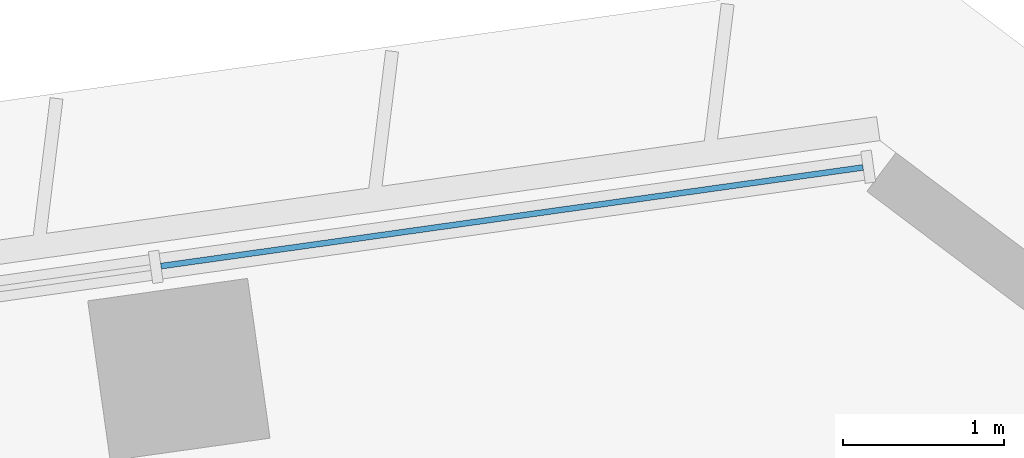
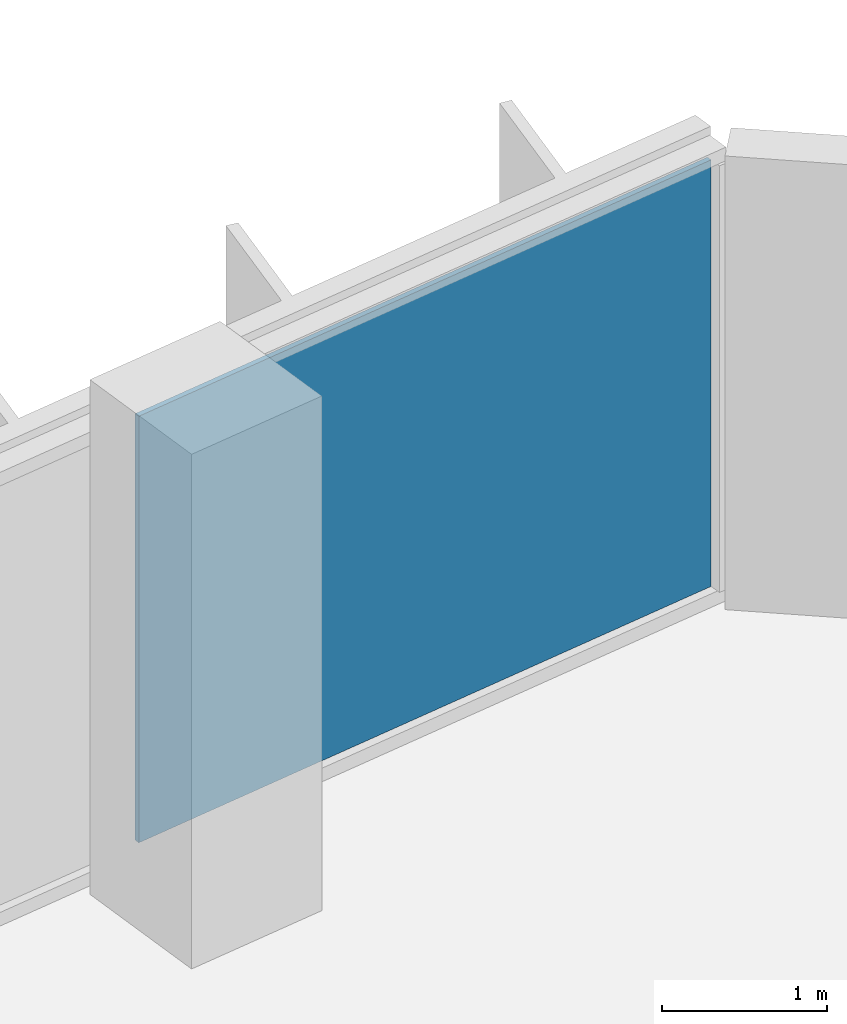
# One storey, part 13 of 24: 1 plate, 1 element without a shape of its own.
"""IFC4 building model written with IfcOpenShell, lengths in metres."""

from ifc_helpers import new_model, si_unit, direction, frame, origin, origin_2d, place, context, subcontext, project, spatial, rectangle, extrude, material, layer, layer_set, type_object, element, aggregate, save


model = new_model("IFC4")

# Units and contexts
model_context = context("Model", 3, precision=1e-05, world=origin(), true_north=direction((0.0, 1.0)))
body_context = subcontext(model_context, "Body", "Model", "MODEL_VIEW")
ifc_project = project(units=[si_unit("LENGTHUNIT", "METRE"), si_unit("AREAUNIT", "SQUARE_METRE"), si_unit("VOLUMEUNIT", "CUBIC_METRE"), si_unit("PLANEANGLEUNIT", "RADIAN"), si_unit("MASSUNIT", "GRAM", prefix="KILO")], contexts=[model_context])

# Site, building, storey
site_placement = place(None, origin())
site = spatial("IfcSite", under=ifc_project, at=site_placement, CompositionType="ELEMENT")
building_placement = place(site_placement, origin())
building = spatial("IfcBuilding", under=site, at=building_placement, Name="Mirante Cascada Hotel Towers", CompositionType="ELEMENT")
storey_placement = place(building_placement, frame((0.0, 0.0, 81.3)))
storey = spatial("IfcBuildingStorey", under=building, at=storey_placement, Name="L17", CompositionType="ELEMENT", Elevation=81.3)

# Curtain wall, plate
ifc_material_1 = material(Name="Aluminium mullion and transom frame with clear laminated glass", Category="aluminium")
curtain_wall_type = type_object("IfcCurtainWallType", Name="Ribbon curtain wall ECW1", PredefinedType="NOTDEFINED", material=ifc_material_1)
curtain_wall_placement = place(storey_placement, origin())
curtain_wall = element("IfcCurtainWall", 1, at=curtain_wall_placement, inside=storey, type_object=curtain_wall_type, Name="Front ribbon wall T2 L17", PredefinedType="NOTDEFINED")
ifc_material_2 = material(Name="Clear laminated glass", Category="glass")
ifc_layer = layer(ifc_material_2, 0.036)
ifc_layer_set = layer_set([ifc_layer], Name="ECW1 glass panel 36")
plate_type = type_object("IfcPlateType", Name="ECW1 glass panel 36", PredefinedType="CURTAIN_PANEL", material=ifc_layer_set)
plate_placement = place(storey_placement, frame((91.9184, 25.7373, 0.1), z_axis=(0.0, 0.0, 1.0), x_axis=(-0.9902681, -0.1391731, 0.0)))
plate = element("IfcPlate", 2, at=plate_placement, type_object=plate_type, Name="ECW1 panel 1", PredefinedType="CURTAIN_PANEL", context=body_context, shape_type="SweptSolid", body=[
    extrude(rectangle(XDim=4.3936, YDim=0.036, at=origin_2d()), origin(), (0.0, 0.0, 1.0), 3.15),
])
aggregate(curtain_wall, [plate])

save(model, "model.ifc")
